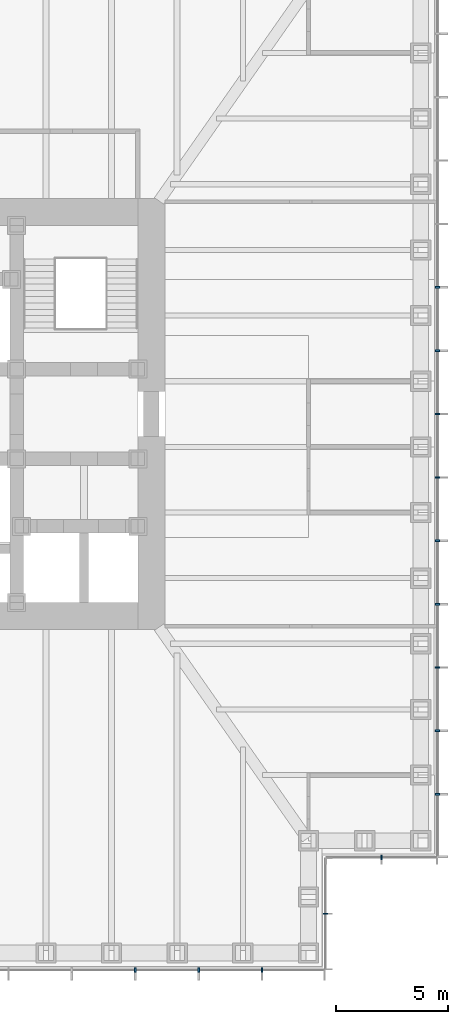
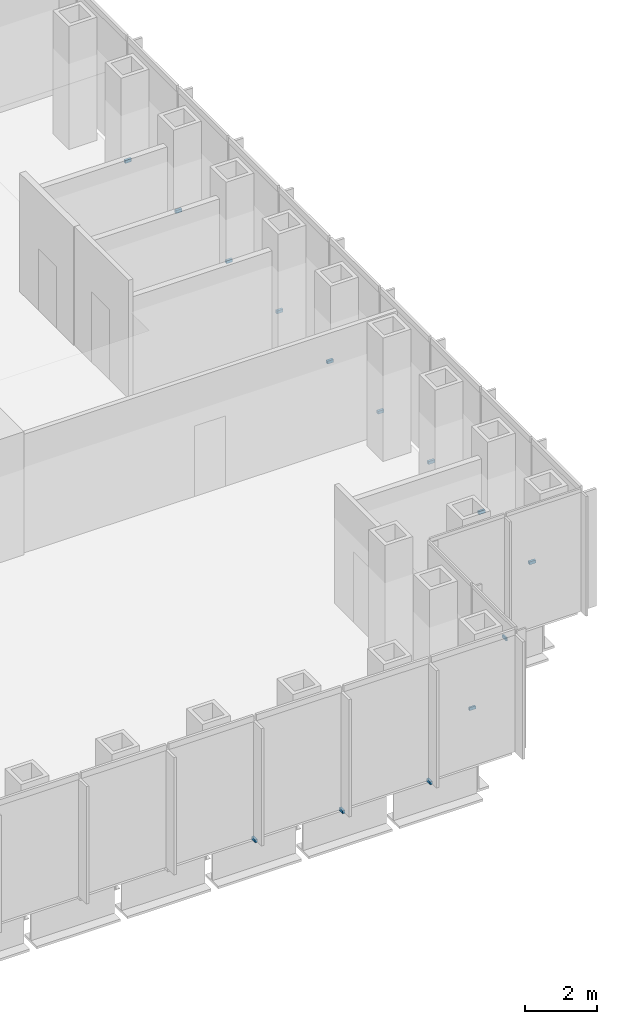
# One storey, part 13 of 16: 14 discrete accessories.
"""IFC4 building model written with IfcOpenShell, lengths in metres."""

from ifc_helpers import new_model, si_unit, direction, frame, origin, origin_2d, place, context, subcontext, project, spatial, rectangle, extrude, element, save


model = new_model("IFC4")

# Units and contexts
model_context = context("Model", 3, precision=1e-05, world=origin(), true_north=direction((0.0, 1.0)))
body_context = subcontext(model_context, "Body", "Model", "MODEL_VIEW")
ifc_project = project(units=[si_unit("LENGTHUNIT", "METRE"), si_unit("AREAUNIT", "SQUARE_METRE"), si_unit("VOLUMEUNIT", "CUBIC_METRE"), si_unit("PLANEANGLEUNIT", "RADIAN"), si_unit("MASSUNIT", "GRAM", prefix="KILO")], contexts=[model_context])

# Site, building, storey
site_placement = place(None, origin())
site = spatial("IfcSite", under=ifc_project, at=site_placement, CompositionType="ELEMENT")
building_placement = place(site_placement, origin())
building = spatial("IfcBuilding", under=site, at=building_placement, Name="Daluyong Arena Tower", CompositionType="ELEMENT")
storey_placement = place(building_placement, frame((0.0, 0.0, 68.5)))
storey = spatial("IfcBuildingStorey", under=building, at=storey_placement, Name="L14", CompositionType="ELEMENT", Elevation=68.5)

# Discrete accessories
for number, where, z_axis, x_axis, name in (
    (1, (67.28564453125, 55.25, -0.10009765625), (0.0, 0.0, 1.0), (1.0, 0.0, 0.0), "curtain wall L14 S anchor bracket 12"),
    (2, (70.107177734375, 55.25, -0.10009765625), (0.0, 0.0, 1.0), (1.0, 0.0, 0.0), "curtain wall L14 S anchor bracket 13"),
    (3, (72.928466796875, 55.25, -0.10009765625), (0.0, 0.0, 1.0), (1.0, 0.0, 0.0), "curtain wall L14 S anchor bracket 14"),
):
    element("IfcDiscreteAccessory", number, at=place(storey_placement, frame(where, z_axis=z_axis, x_axis=x_axis)), inside=storey, Name=name, PredefinedType="BRACKET", context=body_context, shape_type="SweptSolid", body=[
        extrude(rectangle(XDim=0.080078125, YDim=0.199951171875, at=origin_2d()), origin(), (0.0, 0.0, 1.0), 0.10009765625),
    ])
for number, where, z_axis, x_axis, name in (
    (4, (75.75, 57.75, -0.10009765625), (0.0, 0.0, 1.0), (0.0, 1.0, 0.0), "curtain wall L14 SE-E anchor bracket 2"),
    (5, (78.25, 60.25, -0.10009765625), (0.0, 0.0, 1.0), (1.0, 0.0, 0.0), "curtain wall L14 SE-S anchor bracket 2"),
):
    element("IfcDiscreteAccessory", number, at=place(storey_placement, frame(where, z_axis=z_axis, x_axis=x_axis)), inside=storey, Name=name, PredefinedType="BRACKET", context=body_context, shape_type="SweptSolid", body=[
        extrude(rectangle(XDim=0.06005859375, YDim=0.199951171875, at=origin_2d()), origin(), (0.0, 0.0, 1.0), 0.10009765625),
    ])
for number, where, z_axis, x_axis, name in (
    (6, (80.75, 63.071533203125, -0.10009765625), (0.0, 0.0, 1.0), (0.0, 1.0, 0.0), "curtain wall L14 E anchor bracket 2"),
    (7, (80.75, 65.892822265625, -0.10009765625), (0.0, 0.0, 1.0), (0.0, 1.0, 0.0), "curtain wall L14 E anchor bracket 3"),
    (8, (80.75, 68.71435546875, -0.10009765625), (0.0, 0.0, 1.0), (0.0, 1.0, 0.0), "curtain wall L14 E anchor bracket 4"),
    (9, (80.75, 71.53564453125, -0.10009765625), (0.0, 0.0, 1.0), (0.0, 1.0, 0.0), "curtain wall L14 E anchor bracket 5"),
    (10, (80.75, 74.357177734375, -0.10009765625), (0.0, 0.0, 1.0), (0.0, 1.0, 0.0), "curtain wall L14 E anchor bracket 6"),
    (11, (80.75, 77.178466796875, -0.10009765625), (0.0, 0.0, 1.0), (0.0, 1.0, 0.0), "curtain wall L14 E anchor bracket 7"),
    (12, (80.75, 80.0, -0.10009765625), (0.0, 0.0, 1.0), (0.0, 1.0, 0.0), "curtain wall L14 E anchor bracket 8"),
    (13, (80.75, 82.821533203125, -0.10009765625), (0.0, 0.0, 1.0), (0.0, 1.0, 0.0), "curtain wall L14 E anchor bracket 9"),
    (14, (80.75, 85.642822265625, -0.10009765625), (0.0, 0.0, 1.0), (0.0, 1.0, 0.0), "curtain wall L14 E anchor bracket 10"),
):
    element("IfcDiscreteAccessory", number, at=place(storey_placement, frame(where, z_axis=z_axis, x_axis=x_axis)), inside=storey, Name=name, PredefinedType="BRACKET", context=body_context, shape_type="SweptSolid", body=[
        extrude(rectangle(XDim=0.080078125, YDim=0.199951171875, at=origin_2d()), origin(), (0.0, 0.0, 1.0), 0.10009765625),
    ])

save(model, "model.ifc")
